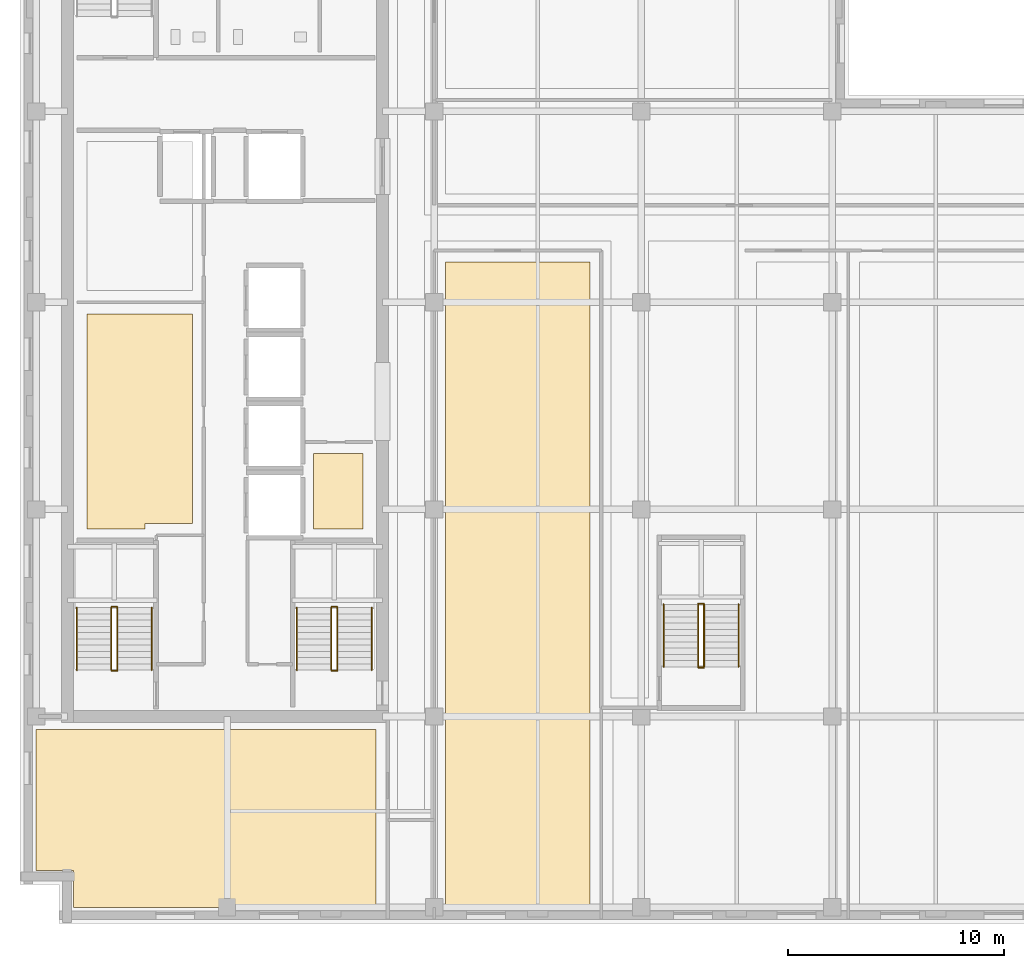
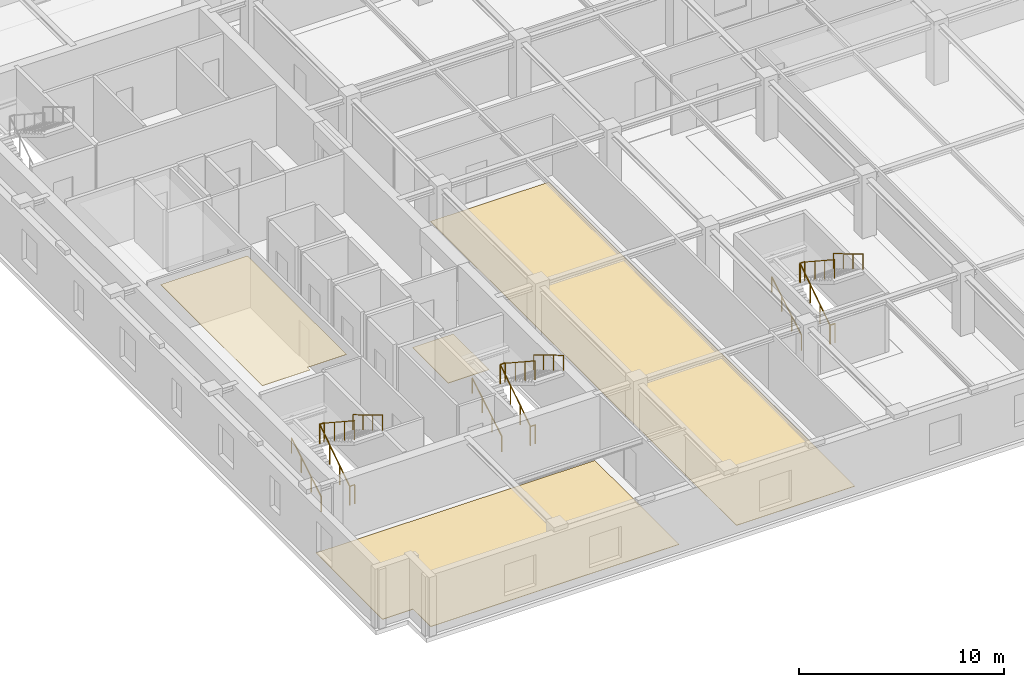
# One storey, part 8 of 12: 18 railings, 4 coverings.
"""IFC4 building model written with IfcOpenShell, lengths in metres."""

from ifc_helpers import new_model, si_unit, direction, frame, origin, origin_2d, place, context, subcontext, project, spatial, polyline, circle, outline, extrude, material, layer, layer_set, type_object, element, save


model = new_model("IFC4")

# Units and contexts
model_context = context("Model", 3, precision=1e-05, world=origin(), true_north=direction((0.0, 1.0)))
body_context = subcontext(model_context, "Body", "Model", "MODEL_VIEW")
ifc_project = project(units=[si_unit("LENGTHUNIT", "METRE"), si_unit("AREAUNIT", "SQUARE_METRE"), si_unit("VOLUMEUNIT", "CUBIC_METRE"), si_unit("PLANEANGLEUNIT", "RADIAN"), si_unit("MASSUNIT", "GRAM", prefix="KILO")], contexts=[model_context])

# Site, building, storey
site_placement = place(None, origin())
site = spatial("IfcSite", under=ifc_project, at=site_placement, CompositionType="ELEMENT")
building_placement = place(site_placement, origin())
building = spatial("IfcBuilding", under=site, at=building_placement, Name="Norrvale University Quadrangle", CompositionType="ELEMENT")
storey_placement = place(building_placement, frame((0.0, 0.0, 237.0)))
storey = spatial("IfcBuildingStorey", under=building, at=storey_placement, Name="L60", CompositionType="ELEMENT", Elevation=237.0)

# Coverings
ifc_material_1 = material(Name="Perforated Acoustic Mineral Ceiling")
ifc_layer_1 = layer(ifc_material_1, 0.02490234375, Name="Perforated Acoustic Mineral Ceiling")
ifc_layer_set_1 = layer_set([ifc_layer_1], Name="Perforated Acoustic Mineral Ceiling")
covering_type_1 = type_object("IfcCoveringType", Name="Covering Acoustic Ceiling 25", PredefinedType="CEILING", material=ifc_layer_set_1)
covering_1_placement = place(storey_placement, frame((0.0, 0.0, 3.514892578125)))
element("IfcCovering", 1, at=covering_1_placement, inside=storey, type_object=covering_type_1, Name="Acoustic Ceiling RM-L60-REC2", PredefinedType="CEILING", context=body_context, shape_type="SweptSolid", body=[
    extrude(outline(polyline([(3.10009765625, 18.300048828125), (3.10009765625, 28.25), (8.0, 28.25), (8.0, 18.550048828125), (5.800048828125, 18.550048828125), (5.800048828125, 18.300048828125), (3.10009765625, 18.300048828125)])), origin(), (0.0, 0.0, 1.0), 0.025146484375),
])
ifc_material_2 = material(Name="Polished Terrazzo Flooring")
ifc_layer_2 = layer(ifc_material_2, 0.02490234375, Name="Polished Terrazzo Flooring")
ifc_layer_set_2 = layer_set([ifc_layer_2], Name="Polished Terrazzo Flooring")
covering_type_2 = type_object("IfcCoveringType", Name="Covering Terrazzo Floor 30", PredefinedType="FLOORING", material=ifc_layer_set_2)
covering_2_placement = place(storey_placement, origin())
element("IfcCovering", 2, at=covering_2_placement, inside=storey, type_object=covering_type_2, Name="Terrazzo Flooring RM-L60-JAN", PredefinedType="FLOORING", context=body_context, shape_type="SweptSolid", body=[
    extrude(outline(polyline([(13.60009765625, 18.300048828125), (13.60009765625, 21.800048828125), (15.89990234375, 21.800048828125), (15.89990234375, 18.300048828125), (13.60009765625, 18.300048828125)])), origin(), (0.0, 0.0, 1.0), 0.02490234375),
])
covering_3_placement = place(storey_placement, origin())
element("IfcCovering", 3, at=covering_3_placement, inside=storey, type_object=covering_type_2, Name="Terrazzo Flooring RM-L60-SW1", PredefinedType="FLOORING", context=body_context, shape_type="SweptSolid", body=[
    extrude(outline(polyline([(0.75, 9.0), (16.5, 9.0), (16.5, 0.75), (2.469970703125, 0.75), (2.469970703125, 2.469970703125), (0.75, 2.469970703125), (0.75, 9.0)])), origin(), (0.0, 0.0, 1.0), 0.02490234375),
])
covering_4_placement = place(storey_placement, origin())
element("IfcCovering", 4, at=covering_4_placement, inside=storey, type_object=covering_type_2, Name="Terrazzo Flooring RM-L60-SE1", PredefinedType="FLOORING", context=body_context, shape_type="SweptSolid", body=[
    extrude(outline(polyline([(19.72998046875, 30.669921875), (26.419921875, 30.669921875), (26.419921875, 0.75), (19.72998046875, 0.75), (19.72998046875, 30.669921875)])), origin(), (0.0, 0.0, 1.0), 0.02490234375),
])

# Railings
ifc_material_3 = material(Name="Steel 350W Painted Balustrade", Category="steel")
railing_type_1 = type_object("IfcRailingType", Name="Railing Stair Guard 1100", PredefinedType="GUARDRAIL", material=ifc_material_3)
for number, where, name in (
    (5, (4.239990234375, 11.719970703125, 0.0), "Stair Floor Well Guard ST-01 L60"),
    (6, (4.239990234375, 14.679931640625, 1.89990234375), "Stair Mid-Landing Slot Guard ST-01 L60"),
):
    element("IfcRailing", number, at=place(storey_placement, frame(where)), inside=storey, type_object=railing_type_1, Name=name, PredefinedType="GUARDRAIL", context=body_context, shape_type="SweptSolid", body=[
        extrude(circle(Radius=0.02392578125, at=origin_2d()), frame((0.0, 0.0, 1.1259765625), z_axis=(1.0, 0.0, 0.0), x_axis=(0.0, 1.0, 0.0)), (0.0, 0.0, 1.0), 0.27001953125),
        extrude(circle(Radius=0.02099609375, at=origin_2d()), origin(), (0.0, 0.0, 1.0), 1.101806640625),
        extrude(circle(Radius=0.02099609375, at=origin_2d()), frame((0.27001953125, 0.0, 0.0)), (0.0, 0.0, 1.0), 1.101806640625),
    ])
railing_1_placement = place(storey_placement, frame((4.239990234375, 11.75, 0.0)))
element("IfcRailing", 7, at=railing_1_placement, inside=storey, type_object=railing_type_1, Name="Stair Lower Flight Inner Guard ST-01 L60", PredefinedType="GUARDRAIL", context=body_context, shape_type="SweptSolid", body=[
    extrude(circle(Radius=0.02392578125, at=origin_2d()), frame((0.0, 0.0, 1.1259765625), z_axis=(0.0, 0.836465582154, 0.548019461216), x_axis=(-1.0, 0.0, 0.0)), (0.0, 0.0, 1.0), 3.466796875),
    extrude(circle(Radius=0.02099609375, at=origin_2d()), origin(), (0.0, 0.0, 1.0), 1.101806640625),
    extrude(circle(Radius=0.02099609375, at=origin_2d()), frame((0.0, 0.966552734375, 0.63330078125)), (0.0, 0.0, 1.0), 1.101806640625),
    extrude(circle(Radius=0.02099609375, at=origin_2d()), frame((0.0, 1.933349609375, 1.2666015625)), (0.0, 0.0, 1.0), 1.101806640625),
    extrude(circle(Radius=0.02099609375, at=origin_2d()), frame((0.0, 2.89990234375, 1.89990234375)), (0.0, 0.0, 1.0), 1.101806640625),
])
railing_2_placement = place(storey_placement, frame((4.510009765625, 14.64990234375, 1.89990234375)))
element("IfcRailing", 8, at=railing_2_placement, inside=storey, type_object=railing_type_1, Name="Stair Upper Flight Inner Guard ST-01 L60", PredefinedType="GUARDRAIL", context=body_context, shape_type="SweptSolid", body=[
    extrude(circle(Radius=0.02392578125, at=origin_2d()), frame((0.0, 0.0, 1.1259765625), z_axis=(0.0, -0.836433300813, 0.548068730445), x_axis=(1.0, 0.0, 0.0)), (0.0, 0.0, 1.0), 3.467041015625),
    extrude(circle(Radius=0.02099609375, at=origin_2d()), origin(), (0.0, 0.0, 1.0), 1.101806640625),
    extrude(circle(Radius=0.02099609375, at=origin_2d()), frame((0.0, -0.966552734375, 0.63330078125)), (0.0, 0.0, 1.0), 1.101806640625),
    extrude(circle(Radius=0.02099609375, at=origin_2d()), frame((0.0, -1.933349609375, 1.266845703125)), (0.0, 0.0, 1.0), 1.101806640625),
    extrude(circle(Radius=0.02099609375, at=origin_2d()), frame((0.0, -2.89990234375, 1.900146484375)), (0.0, 0.0, 1.0), 1.101806640625),
])
for number, where, name in (
    (9, (14.43994140625, 11.719970703125, 0.0), "Stair Floor Well Guard ST-03 L60"),
    (10, (14.43994140625, 14.679931640625, 1.89990234375), "Stair Mid-Landing Slot Guard ST-03 L60"),
):
    element("IfcRailing", number, at=place(storey_placement, frame(where)), inside=storey, type_object=railing_type_1, Name=name, PredefinedType="GUARDRAIL", context=body_context, shape_type="SweptSolid", body=[
        extrude(circle(Radius=0.02392578125, at=origin_2d()), frame((0.0, 0.0, 1.1259765625), z_axis=(1.0, 0.0, 0.0), x_axis=(0.0, 1.0, 0.0)), (0.0, 0.0, 1.0), 0.27001953125),
        extrude(circle(Radius=0.02099609375, at=origin_2d()), origin(), (0.0, 0.0, 1.0), 1.101806640625),
        extrude(circle(Radius=0.02099609375, at=origin_2d()), frame((0.27001953125, 0.0, 0.0)), (0.0, 0.0, 1.0), 1.101806640625),
    ])
railing_3_placement = place(storey_placement, frame((14.43994140625, 11.75, 0.0)))
element("IfcRailing", 11, at=railing_3_placement, inside=storey, type_object=railing_type_1, Name="Stair Lower Flight Inner Guard ST-03 L60", PredefinedType="GUARDRAIL", context=body_context, shape_type="SweptSolid", body=[
    extrude(circle(Radius=0.02392578125, at=origin_2d()), frame((0.0, 0.0, 1.1259765625), z_axis=(0.0, 0.836465582154, 0.548019461216), x_axis=(-1.0, 0.0, 0.0)), (0.0, 0.0, 1.0), 3.466796875),
    extrude(circle(Radius=0.02099609375, at=origin_2d()), origin(), (0.0, 0.0, 1.0), 1.101806640625),
    extrude(circle(Radius=0.02099609375, at=origin_2d()), frame((0.0, 0.966552734375, 0.63330078125)), (0.0, 0.0, 1.0), 1.101806640625),
    extrude(circle(Radius=0.02099609375, at=origin_2d()), frame((0.0, 1.933349609375, 1.2666015625)), (0.0, 0.0, 1.0), 1.101806640625),
    extrude(circle(Radius=0.02099609375, at=origin_2d()), frame((0.0, 2.89990234375, 1.89990234375)), (0.0, 0.0, 1.0), 1.101806640625),
])
railing_4_placement = place(storey_placement, frame((14.7099609375, 14.64990234375, 1.89990234375)))
element("IfcRailing", 12, at=railing_4_placement, inside=storey, type_object=railing_type_1, Name="Stair Upper Flight Inner Guard ST-03 L60", PredefinedType="GUARDRAIL", context=body_context, shape_type="SweptSolid", body=[
    extrude(circle(Radius=0.02392578125, at=origin_2d()), frame((0.0, 0.0, 1.1259765625), z_axis=(0.0, -0.836433300813, 0.548068730445), x_axis=(1.0, 0.0, 0.0)), (0.0, 0.0, 1.0), 3.467041015625),
    extrude(circle(Radius=0.02099609375, at=origin_2d()), origin(), (0.0, 0.0, 1.0), 1.101806640625),
    extrude(circle(Radius=0.02099609375, at=origin_2d()), frame((0.0, -0.966552734375, 0.63330078125)), (0.0, 0.0, 1.0), 1.101806640625),
    extrude(circle(Radius=0.02099609375, at=origin_2d()), frame((0.0, -1.933349609375, 1.266845703125)), (0.0, 0.0, 1.0), 1.101806640625),
    extrude(circle(Radius=0.02099609375, at=origin_2d()), frame((0.0, -2.89990234375, 1.900146484375)), (0.0, 0.0, 1.0), 1.101806640625),
])
for number, where, name in (
    (13, (31.43994140625, 11.8701171875, 0.0), "Stair Floor Well Guard ST-04 L60"),
    (14, (31.43994140625, 14.830078125, 1.89990234375), "Stair Mid-Landing Slot Guard ST-04 L60"),
):
    element("IfcRailing", number, at=place(storey_placement, frame(where)), inside=storey, type_object=railing_type_1, Name=name, PredefinedType="GUARDRAIL", context=body_context, shape_type="SweptSolid", body=[
        extrude(circle(Radius=0.02392578125, at=origin_2d()), frame((0.0, 0.0, 1.1259765625), z_axis=(1.0, 0.0, 0.0), x_axis=(0.0, 1.0, 0.0)), (0.0, 0.0, 1.0), 0.27001953125),
        extrude(circle(Radius=0.02099609375, at=origin_2d()), origin(), (0.0, 0.0, 1.0), 1.101806640625),
        extrude(circle(Radius=0.02099609375, at=origin_2d()), frame((0.27001953125, 0.0, 0.0)), (0.0, 0.0, 1.0), 1.101806640625),
    ])
railing_5_placement = place(storey_placement, frame((31.43994140625, 11.89990234375, 0.0)))
element("IfcRailing", 15, at=railing_5_placement, inside=storey, type_object=railing_type_1, Name="Stair Lower Flight Inner Guard ST-04 L60", PredefinedType="GUARDRAIL", context=body_context, shape_type="SweptSolid", body=[
    extrude(circle(Radius=0.02392578125, at=origin_2d()), frame((0.0, 0.0, 1.1259765625), z_axis=(0.0, 0.836486729621, 0.547987181573), x_axis=(-1.0, 0.0, 0.0)), (0.0, 0.0, 1.0), 3.467041015625),
    extrude(circle(Radius=0.02099609375, at=origin_2d()), origin(), (0.0, 0.0, 1.0), 1.101806640625),
    extrude(circle(Radius=0.02099609375, at=origin_2d()), frame((0.0, 0.966796875, 0.63330078125)), (0.0, 0.0, 1.0), 1.101806640625),
    extrude(circle(Radius=0.02099609375, at=origin_2d()), frame((0.0, 1.933349609375, 1.2666015625)), (0.0, 0.0, 1.0), 1.101806640625),
    extrude(circle(Radius=0.02099609375, at=origin_2d()), frame((0.0, 2.900146484375, 1.89990234375)), (0.0, 0.0, 1.0), 1.101806640625),
])
railing_6_placement = place(storey_placement, frame((31.7099609375, 14.800048828125, 1.89990234375)))
element("IfcRailing", 16, at=railing_6_placement, inside=storey, type_object=railing_type_1, Name="Stair Upper Flight Inner Guard ST-04 L60", PredefinedType="GUARDRAIL", context=body_context, shape_type="SweptSolid", body=[
    extrude(circle(Radius=0.02392578125, at=origin_2d()), frame((0.0, 0.0, 1.1259765625), z_axis=(0.0, -0.836454451266, 0.548036450392), x_axis=(1.0, 0.0, 0.0)), (0.0, 0.0, 1.0), 3.46728515625),
    extrude(circle(Radius=0.02099609375, at=origin_2d()), origin(), (0.0, 0.0, 1.0), 1.101806640625),
    extrude(circle(Radius=0.02099609375, at=origin_2d()), frame((0.0, -0.966796875, 0.63330078125)), (0.0, 0.0, 1.0), 1.101806640625),
    extrude(circle(Radius=0.02099609375, at=origin_2d()), frame((0.0, -1.933349609375, 1.266845703125)), (0.0, 0.0, 1.0), 1.101806640625),
    extrude(circle(Radius=0.02099609375, at=origin_2d()), frame((0.0, -2.900146484375, 1.900146484375)), (0.0, 0.0, 1.0), 1.101806640625),
])
ifc_material_4 = material(Name="Stainless Steel 316L Handrail", Category="steel")
railing_type_2 = type_object("IfcRailingType", Name="Railing Stair Handrail 920", PredefinedType="HANDRAIL", material=ifc_material_4)
railing_7_placement = place(storey_placement, frame((2.639892578125, 11.75, 0.172607421875)))
element("IfcRailing", 17, at=railing_7_placement, inside=storey, type_object=railing_type_2, Name="Stair Lower Flight Handrail ST-01 L60", PredefinedType="HANDRAIL", context=body_context, shape_type="SweptSolid", body=[
    extrude(circle(Radius=0.02392578125, at=origin_2d()), frame((0.0, 0.0, 0.89599609375), z_axis=(0.0, 0.859141464434, 0.511738159696), x_axis=(-1.0, 0.0, 0.0)), (0.0, 0.0, 1.0), 3.375244140625),
    extrude(circle(Radius=0.02099609375, at=origin_2d()), origin(), (0.0, 0.0, 1.0), 0.871826171875),
    extrude(circle(Radius=0.02099609375, at=origin_2d()), frame((0.0, 0.966552734375, 0.57568359375)), (0.0, 0.0, 1.0), 0.871826171875),
    extrude(circle(Radius=0.02099609375, at=origin_2d()), frame((0.0, 1.933349609375, 1.151611328125)), (0.0, 0.0, 1.0), 0.871826171875),
    extrude(circle(Radius=0.02099609375, at=origin_2d()), frame((0.0, 2.89990234375, 1.727294921875)), (0.0, 0.0, 1.0), 0.871826171875),
])
railing_8_placement = place(storey_placement, frame((6.110107421875, 14.64990234375, 2.07275390625)))
element("IfcRailing", 18, at=railing_8_placement, inside=storey, type_object=railing_type_2, Name="Stair Upper Flight Handrail ST-01 L60", PredefinedType="HANDRAIL", context=body_context, shape_type="SweptSolid", body=[
    extrude(circle(Radius=0.02392578125, at=origin_2d()), frame((0.0, 0.0, 0.89599609375), z_axis=(0.0, -0.859141464434, 0.511738159696), x_axis=(1.0, 0.0, 0.0)), (0.0, 0.0, 1.0), 3.375244140625),
    extrude(circle(Radius=0.02099609375, at=origin_2d()), origin(), (0.0, 0.0, 1.0), 0.871826171875),
    extrude(circle(Radius=0.02099609375, at=origin_2d()), frame((0.0, -0.966552734375, 0.57568359375)), (0.0, 0.0, 1.0), 0.871826171875),
    extrude(circle(Radius=0.02099609375, at=origin_2d()), frame((0.0, -1.933349609375, 1.151611328125)), (0.0, 0.0, 1.0), 0.871826171875),
    extrude(circle(Radius=0.02099609375, at=origin_2d()), frame((0.0, -2.89990234375, 1.727294921875)), (0.0, 0.0, 1.0), 0.871826171875),
])
railing_9_placement = place(storey_placement, frame((12.840087890625, 11.75, 0.172607421875)))
element("IfcRailing", 19, at=railing_9_placement, inside=storey, type_object=railing_type_2, Name="Stair Lower Flight Handrail ST-03 L60", PredefinedType="HANDRAIL", context=body_context, shape_type="SweptSolid", body=[
    extrude(circle(Radius=0.02392578125, at=origin_2d()), frame((0.0, 0.0, 0.89599609375), z_axis=(0.0, 0.859141464434, 0.511738159696), x_axis=(-1.0, 0.0, 0.0)), (0.0, 0.0, 1.0), 3.375244140625),
    extrude(circle(Radius=0.02099609375, at=origin_2d()), origin(), (0.0, 0.0, 1.0), 0.871826171875),
    extrude(circle(Radius=0.02099609375, at=origin_2d()), frame((0.0, 0.966552734375, 0.57568359375)), (0.0, 0.0, 1.0), 0.871826171875),
    extrude(circle(Radius=0.02099609375, at=origin_2d()), frame((0.0, 1.933349609375, 1.151611328125)), (0.0, 0.0, 1.0), 0.871826171875),
    extrude(circle(Radius=0.02099609375, at=origin_2d()), frame((0.0, 2.89990234375, 1.727294921875)), (0.0, 0.0, 1.0), 0.871826171875),
])
railing_10_placement = place(storey_placement, frame((16.31005859375, 14.64990234375, 2.07275390625)))
element("IfcRailing", 20, at=railing_10_placement, inside=storey, type_object=railing_type_2, Name="Stair Upper Flight Handrail ST-03 L60", PredefinedType="HANDRAIL", context=body_context, shape_type="SweptSolid", body=[
    extrude(circle(Radius=0.02392578125, at=origin_2d()), frame((0.0, 0.0, 0.89599609375), z_axis=(0.0, -0.859141464434, 0.511738159696), x_axis=(1.0, 0.0, 0.0)), (0.0, 0.0, 1.0), 3.375244140625),
    extrude(circle(Radius=0.02099609375, at=origin_2d()), origin(), (0.0, 0.0, 1.0), 0.871826171875),
    extrude(circle(Radius=0.02099609375, at=origin_2d()), frame((0.0, -0.966552734375, 0.57568359375)), (0.0, 0.0, 1.0), 0.871826171875),
    extrude(circle(Radius=0.02099609375, at=origin_2d()), frame((0.0, -1.933349609375, 1.151611328125)), (0.0, 0.0, 1.0), 0.871826171875),
    extrude(circle(Radius=0.02099609375, at=origin_2d()), frame((0.0, -2.89990234375, 1.727294921875)), (0.0, 0.0, 1.0), 0.871826171875),
])
railing_11_placement = place(storey_placement, frame((29.840087890625, 11.89990234375, 0.172607421875)))
element("IfcRailing", 21, at=railing_11_placement, inside=storey, type_object=railing_type_2, Name="Stair Lower Flight Handrail ST-04 L60", PredefinedType="HANDRAIL", context=body_context, shape_type="SweptSolid", body=[
    extrude(circle(Radius=0.02392578125, at=origin_2d()), frame((0.0, 0.0, 0.89599609375), z_axis=(0.0, 0.859160404282, 0.51170636083), x_axis=(-1.0, 0.0, 0.0)), (0.0, 0.0, 1.0), 3.37548828125),
    extrude(circle(Radius=0.02099609375, at=origin_2d()), origin(), (0.0, 0.0, 1.0), 0.871826171875),
    extrude(circle(Radius=0.02099609375, at=origin_2d()), frame((0.0, 0.966796875, 0.57568359375)), (0.0, 0.0, 1.0), 0.871826171875),
    extrude(circle(Radius=0.02099609375, at=origin_2d()), frame((0.0, 1.933349609375, 1.151611328125)), (0.0, 0.0, 1.0), 0.871826171875),
    extrude(circle(Radius=0.02099609375, at=origin_2d()), frame((0.0, 2.900146484375, 1.727294921875)), (0.0, 0.0, 1.0), 0.871826171875),
])
railing_12_placement = place(storey_placement, frame((33.31005859375, 14.800048828125, 2.07275390625)))
element("IfcRailing", 22, at=railing_12_placement, inside=storey, type_object=railing_type_2, Name="Stair Upper Flight Handrail ST-04 L60", PredefinedType="HANDRAIL", context=body_context, shape_type="SweptSolid", body=[
    extrude(circle(Radius=0.02392578125, at=origin_2d()), frame((0.0, 0.0, 0.89599609375), z_axis=(0.0, -0.859160404282, 0.51170636083), x_axis=(1.0, 0.0, 0.0)), (0.0, 0.0, 1.0), 3.37548828125),
    extrude(circle(Radius=0.02099609375, at=origin_2d()), origin(), (0.0, 0.0, 1.0), 0.871826171875),
    extrude(circle(Radius=0.02099609375, at=origin_2d()), frame((0.0, -0.966796875, 0.57568359375)), (0.0, 0.0, 1.0), 0.871826171875),
    extrude(circle(Radius=0.02099609375, at=origin_2d()), frame((0.0, -1.933349609375, 1.151611328125)), (0.0, 0.0, 1.0), 0.871826171875),
    extrude(circle(Radius=0.02099609375, at=origin_2d()), frame((0.0, -2.900146484375, 1.727294921875)), (0.0, 0.0, 1.0), 0.871826171875),
])

save(model, "model.ifc")
